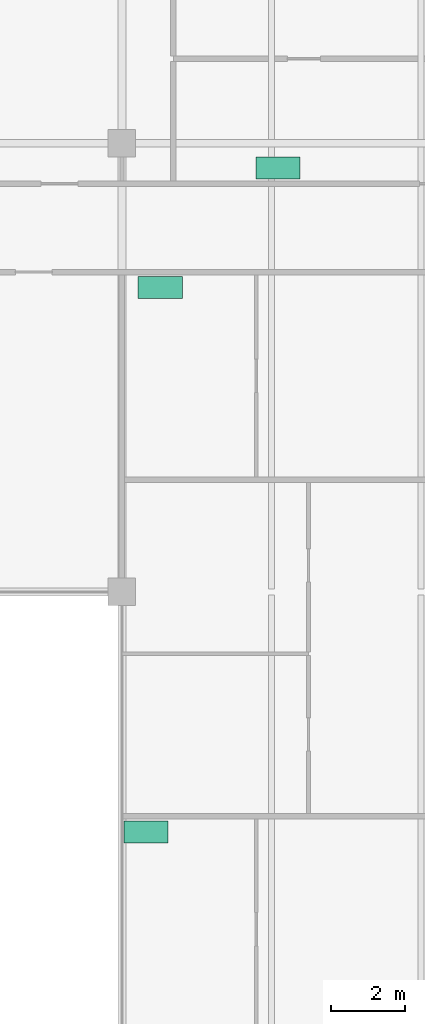
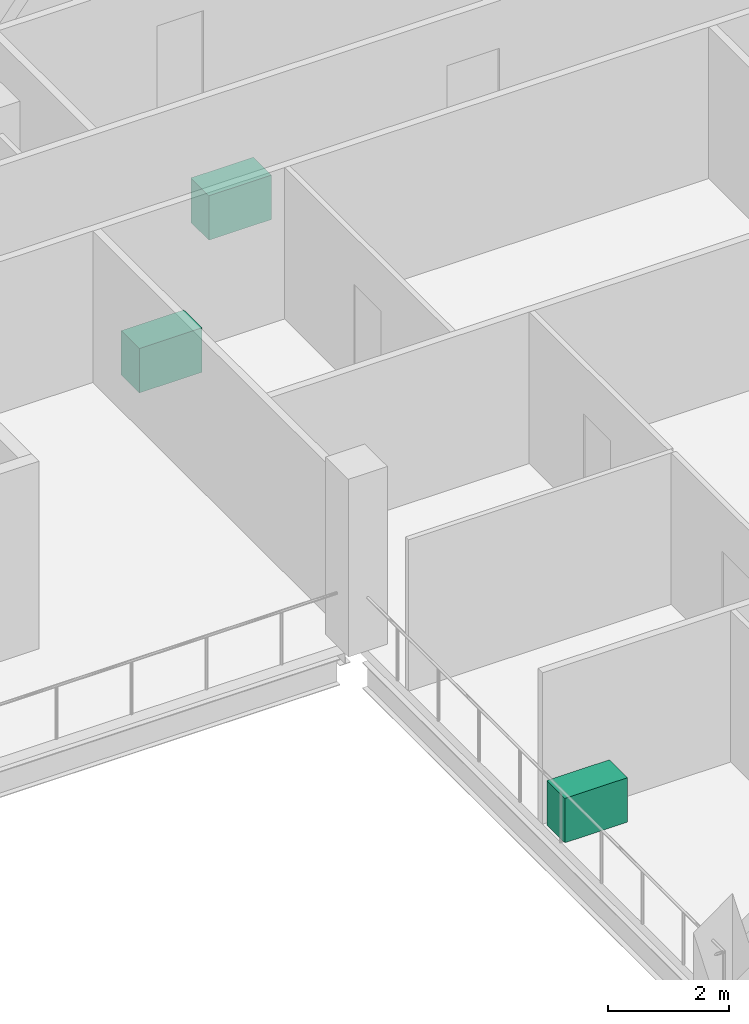
# One storey, part 12 of 12: 3 sanitary terminals.
"""IFC4 building model written with IfcOpenShell, lengths in metres."""

from ifc_helpers import new_model, si_unit, direction, frame, origin, origin_2d, place, context, subcontext, project, spatial, rectangle, extrude, material, type_object, element, save


model = new_model("IFC4")

# Units and contexts
model_context = context("Model", 3, precision=1e-05, world=origin(), true_north=direction((0.0, 1.0)))
body_context = subcontext(model_context, "Body", "Model", "MODEL_VIEW")
ifc_project = project(units=[si_unit("LENGTHUNIT", "METRE"), si_unit("AREAUNIT", "SQUARE_METRE"), si_unit("VOLUMEUNIT", "CUBIC_METRE"), si_unit("PLANEANGLEUNIT", "RADIAN"), si_unit("MASSUNIT", "GRAM", prefix="KILO")], contexts=[model_context])

# Site, building, storey
site_placement = place(None, origin())
site = spatial("IfcSite", under=ifc_project, at=site_placement, CompositionType="ELEMENT")
building_placement = place(site_placement, origin())
building = spatial("IfcBuilding", under=site, at=building_placement, Name="Tessera Gate Towers", CompositionType="ELEMENT")
storey_placement = place(building_placement, frame((0.0, 0.0, 155.39990234375)))
storey = spatial("IfcBuildingStorey", under=building, at=storey_placement, Name="L38", CompositionType="ELEMENT", Elevation=155.39990234375)

# Sanitary terminals
ifc_material = material(Name="Vitreous china")
sanitary_terminal_type = type_object("IfcSanitaryTerminalType", Name="LABORATORY SINK 1200x600", PredefinedType="SINK", material=ifc_material)
for number, where, z_axis, x_axis, name in (
    (1, (16.449951171875, 48.125, 0.000244140625), (0.0, 0.0, 1.0), (1.0, 0.0, 0.0), "Laboratory sink"),
    (2, (12.85009765625, 30.074951171875, 0.000244140625), (0.0, 0.0, 1.0), (1.0, 0.0, 0.0), "Laboratory sink"),
    (3, (13.241943359375, 44.875, 0.000244140625), (0.0, 0.0, 1.0), (1.0, 0.0, 0.0), "Laboratory sink"),
):
    element("IfcSanitaryTerminal", number, at=place(storey_placement, frame(where, z_axis=z_axis, x_axis=x_axis)), inside=storey, type_object=sanitary_terminal_type, Name=name, PredefinedType="SINK", context=body_context, shape_type="SweptSolid", body=[
        extrude(rectangle(XDim=1.199951171875, YDim=0.60009765625, at=origin_2d()), origin(), (0.0, 0.0, 1.0), 0.89990234375),
    ])

save(model, "model.ifc")
